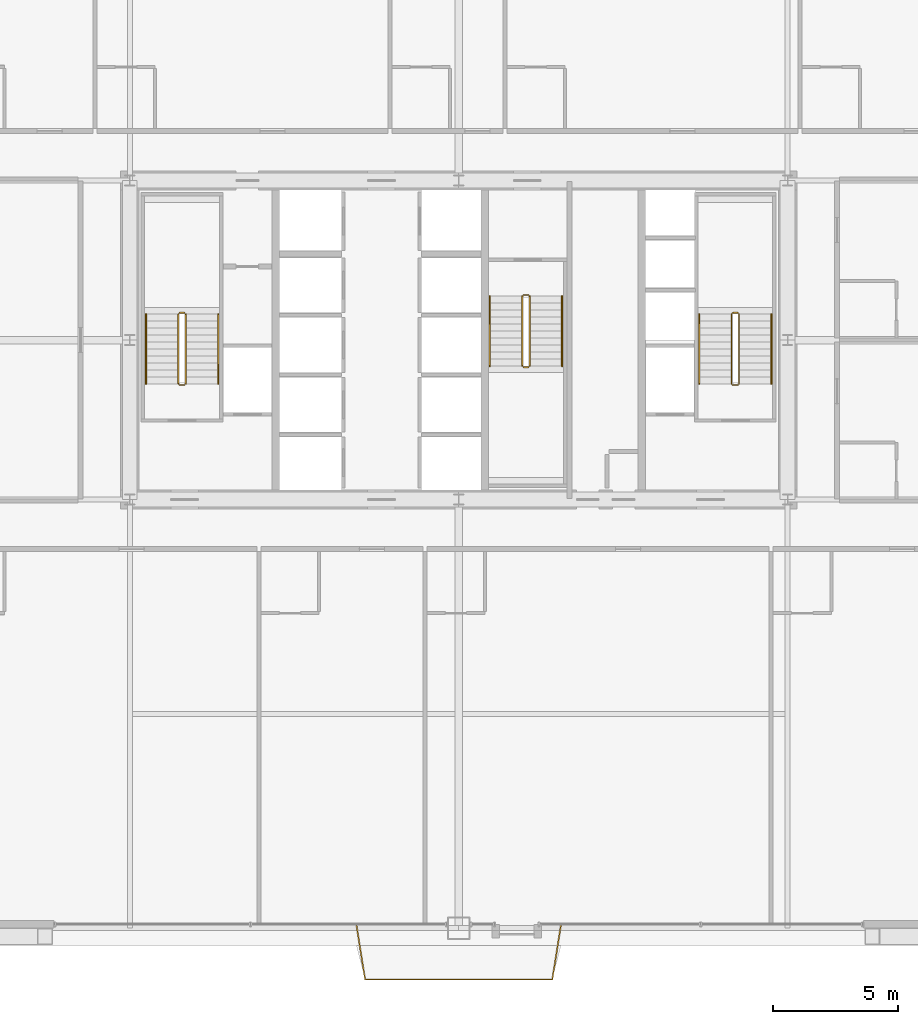
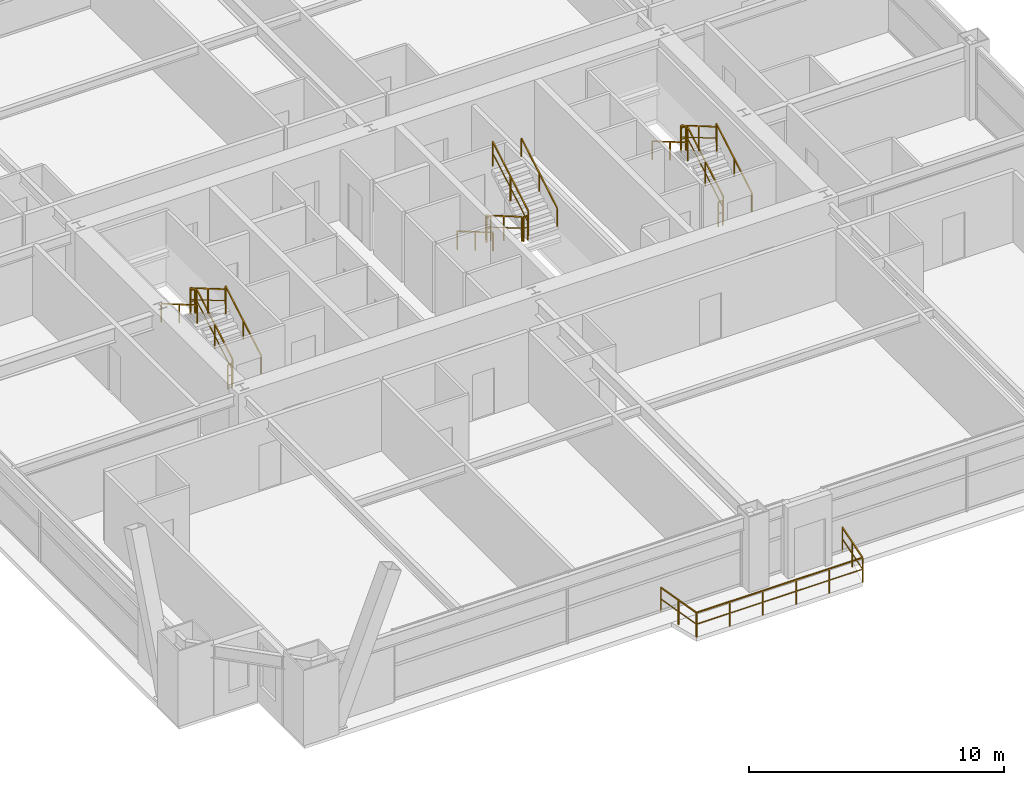
# One storey, part 41 of 41: 19 railings.
"""IFC4 building model written with IfcOpenShell, lengths in metres."""

from ifc_helpers import new_model, si_unit, direction, frame, origin, origin_2d, place, context, subcontext, project, spatial, rectangle, extrude, source, transform, mapped, material, layer, layer_set, type_object, element, save


model = new_model("IFC4")

# Units and contexts
model_context = context("Model", 3, precision=1e-05, world=origin(), true_north=direction((0.0, 1.0)))
body_context = subcontext(model_context, "Body", "Model", "MODEL_VIEW")
ifc_project = project(units=[si_unit("LENGTHUNIT", "METRE"), si_unit("AREAUNIT", "SQUARE_METRE"), si_unit("VOLUMEUNIT", "CUBIC_METRE"), si_unit("PLANEANGLEUNIT", "RADIAN"), si_unit("MASSUNIT", "GRAM", prefix="KILO"), si_unit("THERMODYNAMICTEMPERATUREUNIT", "KELVIN"), si_unit("POWERUNIT", "WATT")], contexts=[model_context])

# Site, building, storey
site_placement = place(None, origin())
site = spatial("IfcSite", under=ifc_project, at=site_placement, CompositionType="ELEMENT")
building_placement = place(site_placement, origin())
building = spatial("IfcBuilding", under=site, at=building_placement, Name="Yuzanri Waterfront Tower", CompositionType="ELEMENT")
storey_placement = place(building_placement, frame((0.0, 0.0, 122.60009765625)))
storey = spatial("IfcBuildingStorey", under=building, at=storey_placement, Name="L32", CompositionType="ELEMENT", Elevation=122.60009765625)

# Railings
ifc_material_1 = material(Name="Anodized Architectural Bronze", Category="metal")
ifc_layer_1 = layer(ifc_material_1, 0.080078125)
ifc_layer_set_1 = layer_set([ifc_layer_1], Name="Anodized Architectural Bronze")
railing_type_1 = type_object("IfcRailingType", Name="Laminated Glass and Bronze Balcony Guardrail 1200", PredefinedType="BALUSTRADE", material=ifc_layer_set_1)
shared_shape_1 = source(origin(), body_context, "Body", "SweptSolid", [
    extrude(rectangle(XDim=0.050048828125, YDim=0.050048828125, at=origin_2d()), frame((0.0, 0.0, 1.1748046875), z_axis=(0.15649530957, -0.987678701847, 0.0), x_axis=(0.987678701847, 0.15649530957, 0.0)), (0.0, 0.0, 1.0), 2.235595703125),
    extrude(rectangle(XDim=0.035888671875, YDim=0.030029296875, at=origin_2d()), frame((0.0, 0.0, 0.6240234375), z_axis=(0.15649530957, -0.987678701847, 0.0), x_axis=(0.987678701847, 0.15649530957, 0.0)), (0.0, 0.0, 1.0), 2.235595703125),
    extrude(rectangle(XDim=0.050048828125, YDim=0.050048828125, at=origin_2d()), frame((0.349853515625, -2.2080078125, 1.1748046875), z_axis=(1.0, 0.0, 0.0), x_axis=(0.0, 1.0, 0.0)), (0.0, 0.0, 1.0), 7.51513671875),
    extrude(rectangle(XDim=0.035888671875, YDim=0.030029296875, at=origin_2d()), frame((0.349853515625, -2.2080078125, 0.6240234375), z_axis=(1.0, 0.0, 0.0), x_axis=(0.0, 1.0, 0.0)), (0.0, 0.0, 1.0), 7.51513671875),
    extrude(rectangle(XDim=0.050048828125, YDim=0.050048828125, at=origin_2d()), frame((7.864990234375, -2.2080078125, 1.1748046875), z_axis=(0.15649530957, 0.987678701847, 0.0), x_axis=(-0.987678701847, 0.15649530957, 0.0)), (0.0, 0.0, 1.0), 2.235595703125),
    extrude(rectangle(XDim=0.035888671875, YDim=0.030029296875, at=origin_2d()), frame((7.864990234375, -2.2080078125, 0.6240234375), z_axis=(0.15649530957, 0.987678701847, 0.0), x_axis=(-0.987678701847, 0.15649530957, 0.0)), (0.0, 0.0, 1.0), 2.235595703125),
    extrude(rectangle(XDim=0.0458984375, YDim=0.0458984375, at=origin_2d()), origin(), (0.0, 0.0, 1.0), 1.14990234375),
    extrude(rectangle(XDim=0.0458984375, YDim=0.0458984375, at=origin_2d()), frame((0.1748046875, -1.10400390625, 0.0)), (0.0, 0.0, 1.0), 1.14990234375),
    extrude(rectangle(XDim=0.0458984375, YDim=0.0458984375, at=origin_2d()), frame((0.349853515625, -2.2080078125, 0.0)), (0.0, 0.0, 1.0), 1.14990234375),
    extrude(rectangle(XDim=0.0458984375, YDim=0.0458984375, at=origin_2d()), frame((1.852783203125, -2.2080078125, 0.0)), (0.0, 0.0, 1.0), 1.14990234375),
    extrude(rectangle(XDim=0.0458984375, YDim=0.0458984375, at=origin_2d()), frame((3.35595703125, -2.2080078125, 0.0)), (0.0, 0.0, 1.0), 1.14990234375),
    extrude(rectangle(XDim=0.0458984375, YDim=0.0458984375, at=origin_2d()), frame((4.85888671875, -2.2080078125, 0.0)), (0.0, 0.0, 1.0), 1.14990234375),
    extrude(rectangle(XDim=0.0458984375, YDim=0.0458984375, at=origin_2d()), frame((6.362060546875, -2.2080078125, 0.0)), (0.0, 0.0, 1.0), 1.14990234375),
    extrude(rectangle(XDim=0.0458984375, YDim=0.0458984375, at=origin_2d()), frame((7.864990234375, -2.2080078125, 0.0)), (0.0, 0.0, 1.0), 1.14990234375),
    extrude(rectangle(XDim=0.0458984375, YDim=0.0458984375, at=origin_2d()), frame((8.0400390625, -1.10400390625, 0.0)), (0.0, 0.0, 1.0), 1.14990234375),
    extrude(rectangle(XDim=0.0458984375, YDim=0.0458984375, at=origin_2d()), frame((8.21484375, 0.0, 0.0)), (0.0, 0.0, 1.0), 1.14990234375),
])
railing_placement = place(storey_placement, frame((32.892578125, 2.35009765625, 0.0)))
element("IfcRailing", 1, at=railing_placement, inside=storey, type_object=railing_type_1, Name="L32 S Engawa Terrace Guardrail", PredefinedType="BALUSTRADE", context=body_context, shape_type="MappedRepresentation", body=[
    mapped(shared_shape_1, transform((0.0, 0.0, 0.0), scale=1.0)),
])
ifc_material_2 = material(Name="Painted Galvanized Fire Steel", Category="steel")
ifc_layer_2 = layer(ifc_material_2, 0.06005859375)
ifc_layer_set_2 = layer_set([ifc_layer_2], Name="Painted Galvanized Fire Steel")
railing_type_2 = type_object("IfcRailingType", Name="Painted Steel Stairwell Guardrail 1120", PredefinedType="GUARDRAIL", material=ifc_layer_set_2)
shared_shape_2 = source(origin(), body_context, "Body", "SweptSolid", [
    extrude(rectangle(XDim=0.050048828125, YDim=0.050048828125, at=origin_2d()), frame((0.0, 0.0, 1.1748046875), z_axis=(-1.0, 0.0, 0.0), x_axis=(0.0, -1.0, 0.0)), (0.0, 0.0, 1.0), 0.199951171875),
    extrude(rectangle(XDim=0.035888671875, YDim=0.030029296875, at=origin_2d()), frame((0.0, 0.0, 0.6240234375), z_axis=(-1.0, 0.0, 0.0), x_axis=(0.0, -1.0, 0.0)), (0.0, 0.0, 1.0), 0.199951171875),
    extrude(rectangle(XDim=0.0458984375, YDim=0.0458984375, at=origin_2d()), origin(), (0.0, 0.0, 1.0), 1.14990234375),
    extrude(rectangle(XDim=0.0458984375, YDim=0.0458984375, at=origin_2d()), frame((-0.199951171875, 0.0, 0.0)), (0.0, 0.0, 1.0), 1.14990234375),
])
for number, where, name in (
    (2, (26.0, 26.889892578125, 1.7998046875), "L32 ST-01 stair guard 2"),
    (3, (26.0, 23.989990234375, 0.0), "L32 ST-01 stair guard 4"),
    (4, (48.199951171875, 26.889892578125, 1.7998046875), "L32 ST-02 stair guard 2"),
    (5, (48.199951171875, 23.989990234375, 0.0), "L32 ST-02 stair guard 4"),
):
    element("IfcRailing", number, at=place(storey_placement, frame(where)), inside=storey, type_object=railing_type_2, Name=name, PredefinedType="GUARDRAIL", context=body_context, shape_type="MappedRepresentation", body=[
        mapped(shared_shape_2, transform((0.0, 0.0, 0.0), scale=1.0)),
    ])
shared_shape_3 = source(origin(), body_context, "Body", "SweptSolid", [
    extrude(rectangle(XDim=0.050048828125, YDim=0.050048828125, at=origin_2d()), frame((0.0, 0.0, 1.1748046875), z_axis=(0.0, 0.863393664356, 0.504530851732), x_axis=(-1.0, 0.0, 0.0)), (0.0, 0.0, 1.0), 3.2431640625),
    extrude(rectangle(XDim=0.035888671875, YDim=0.030029296875, at=origin_2d()), frame((0.0, 0.0, 0.6240234375), z_axis=(0.0, 0.863393664356, 0.504530851732), x_axis=(-1.0, 0.0, 0.0)), (0.0, 0.0, 1.0), 3.2431640625),
    extrude(rectangle(XDim=0.0458984375, YDim=0.0458984375, at=origin_2d()), origin(), (0.0, 0.0, 1.0), 1.14990234375),
    extrude(rectangle(XDim=0.0458984375, YDim=0.0458984375, at=origin_2d()), frame((0.0, 1.39990234375, 0.818115234375)), (0.0, 0.0, 1.0), 1.14990234375),
    extrude(rectangle(XDim=0.0458984375, YDim=0.0458984375, at=origin_2d()), frame((0.0, 2.800048828125, 1.63623046875)), (0.0, 0.0, 1.0), 1.14990234375),
])
for number, where, name in (
    (6, (26.050048828125, 24.0400390625, 0.16357421875), "L32 ST-01 stair guard 1"),
    (7, (48.25, 24.0400390625, 0.16357421875), "L32 ST-02 stair guard 1"),
    (8, (39.85009765625, 24.760009765625, 1.963623046875), "L32 ST-03 stair guard 3"),
):
    element("IfcRailing", number, at=place(storey_placement, frame(where)), inside=storey, type_object=railing_type_2, Name=name, PredefinedType="GUARDRAIL", context=body_context, shape_type="MappedRepresentation", body=[
        mapped(shared_shape_3, transform((0.0, 0.0, 0.0), scale=1.0)),
    ])
shared_shape_4 = source(origin(), body_context, "Body", "SweptSolid", [
    extrude(rectangle(XDim=0.050048828125, YDim=0.050048828125, at=origin_2d()), frame((0.0, 0.0, 1.1748046875), z_axis=(0.0, -0.863393664356, 0.504530851732), x_axis=(1.0, 0.0, 0.0)), (0.0, 0.0, 1.0), 3.2431640625),
    extrude(rectangle(XDim=0.035888671875, YDim=0.030029296875, at=origin_2d()), frame((0.0, 0.0, 0.6240234375), z_axis=(0.0, -0.863393664356, 0.504530851732), x_axis=(1.0, 0.0, 0.0)), (0.0, 0.0, 1.0), 3.2431640625),
    extrude(rectangle(XDim=0.0458984375, YDim=0.0458984375, at=origin_2d()), origin(), (0.0, 0.0, 1.0), 1.14990234375),
    extrude(rectangle(XDim=0.0458984375, YDim=0.0458984375, at=origin_2d()), frame((0.0, -1.39990234375, 0.818115234375)), (0.0, 0.0, 1.0), 1.14990234375),
    extrude(rectangle(XDim=0.0458984375, YDim=0.0458984375, at=origin_2d()), frame((0.0, -2.800048828125, 1.63623046875)), (0.0, 0.0, 1.0), 1.14990234375),
])
for number, where, name in (
    (9, (25.75, 26.840087890625, 1.963623046875), "L32 ST-01 stair guard 3"),
    (10, (47.949951171875, 26.840087890625, 1.963623046875), "L32 ST-02 stair guard 3"),
    (11, (39.550048828125, 27.56005859375, 0.16357421875), "L32 ST-03 stair guard 1"),
):
    element("IfcRailing", number, at=place(storey_placement, frame(where)), inside=storey, type_object=railing_type_2, Name=name, PredefinedType="GUARDRAIL", context=body_context, shape_type="MappedRepresentation", body=[
        mapped(shared_shape_4, transform((0.0, 0.0, 0.0), scale=1.0)),
    ])
ifc_material_3 = material(Name="Anodized Architectural Bronze", Category="metal")
ifc_layer_3 = layer(ifc_material_3, 0.050048828125)
ifc_layer_set_3 = layer_set([ifc_layer_3], Name="Anodized Architectural Bronze")
railing_type_3 = type_object("IfcRailingType", Name="Brushed Bronze Stair Pitch Handrail 920", PredefinedType="HANDRAIL", material=ifc_layer_set_3)
shared_shape_5 = source(origin(), body_context, "Body", "SweptSolid", [
    extrude(rectangle(XDim=0.050048828125, YDim=0.050048828125, at=origin_2d()), frame((0.0, 0.0, 0.875), z_axis=(0.0, 0.863393664356, 0.504530851732), x_axis=(-1.0, 0.0, 0.0)), (0.0, 0.0, 1.0), 3.2431640625),
    extrude(rectangle(XDim=0.0458984375, YDim=0.0458984375, at=origin_2d()), origin(), (0.0, 0.0, 1.0), 0.849853515625),
    extrude(rectangle(XDim=0.0458984375, YDim=0.0458984375, at=origin_2d()), frame((0.0, 1.39990234375, 0.818115234375)), (0.0, 0.0, 1.0), 0.849853515625),
    extrude(rectangle(XDim=0.0458984375, YDim=0.0458984375, at=origin_2d()), frame((0.0, 2.800048828125, 1.63623046875)), (0.0, 0.0, 1.0), 0.849853515625),
])
for number, where, name in (
    (12, (27.35009765625, 24.0400390625, 0.16357421875), "L32 ST-01 stair handrail 1"),
    (13, (49.550048828125, 24.0400390625, 0.16357421875), "L32 ST-02 stair handrail 1"),
    (14, (41.14990234375, 24.760009765625, 1.963623046875), "L32 ST-03 stair handrail 2"),
):
    element("IfcRailing", number, at=place(storey_placement, frame(where)), inside=storey, type_object=railing_type_3, Name=name, PredefinedType="HANDRAIL", context=body_context, shape_type="MappedRepresentation", body=[
        mapped(shared_shape_5, transform((0.0, 0.0, 0.0), scale=1.0)),
    ])
shared_shape_6 = source(origin(), body_context, "Body", "SweptSolid", [
    extrude(rectangle(XDim=0.050048828125, YDim=0.050048828125, at=origin_2d()), frame((0.0, 0.0, 0.875), z_axis=(0.0, -0.863393664356, 0.504530851732), x_axis=(1.0, 0.0, 0.0)), (0.0, 0.0, 1.0), 3.2431640625),
    extrude(rectangle(XDim=0.0458984375, YDim=0.0458984375, at=origin_2d()), origin(), (0.0, 0.0, 1.0), 0.849853515625),
    extrude(rectangle(XDim=0.0458984375, YDim=0.0458984375, at=origin_2d()), frame((0.0, -1.39990234375, 0.818115234375)), (0.0, 0.0, 1.0), 0.849853515625),
    extrude(rectangle(XDim=0.0458984375, YDim=0.0458984375, at=origin_2d()), frame((0.0, -2.800048828125, 1.63623046875)), (0.0, 0.0, 1.0), 0.849853515625),
])
for number, where, name in (
    (15, (24.449951171875, 26.840087890625, 1.963623046875), "L32 ST-01 stair handrail 2"),
    (16, (46.64990234375, 26.840087890625, 1.963623046875), "L32 ST-02 stair handrail 2"),
    (17, (38.25, 27.56005859375, 0.16357421875), "L32 ST-03 stair handrail 1"),
):
    element("IfcRailing", number, at=place(storey_placement, frame(where)), inside=storey, type_object=railing_type_3, Name=name, PredefinedType="HANDRAIL", context=body_context, shape_type="MappedRepresentation", body=[
        mapped(shared_shape_6, transform((0.0, 0.0, 0.0), scale=1.0)),
    ])
shared_shape_7 = source(origin(), body_context, "Body", "SweptSolid", [
    extrude(rectangle(XDim=0.050048828125, YDim=0.050048828125, at=origin_2d()), frame((0.0, 0.0, 1.1748046875), z_axis=(1.0, 0.0, 0.0), x_axis=(0.0, 1.0, 0.0)), (0.0, 0.0, 1.0), 0.199951171875),
    extrude(rectangle(XDim=0.035888671875, YDim=0.030029296875, at=origin_2d()), frame((0.0, 0.0, 0.6240234375), z_axis=(1.0, 0.0, 0.0), x_axis=(0.0, 1.0, 0.0)), (0.0, 0.0, 1.0), 0.199951171875),
    extrude(rectangle(XDim=0.0458984375, YDim=0.0458984375, at=origin_2d()), origin(), (0.0, 0.0, 1.0), 1.14990234375),
    extrude(rectangle(XDim=0.0458984375, YDim=0.0458984375, at=origin_2d()), frame((0.199951171875, 0.0, 0.0)), (0.0, 0.0, 1.0), 1.14990234375),
])
for number, where, name in (
    (18, (39.60009765625, 24.7099609375, 1.7998046875), "L32 ST-03 stair guard 2"),
    (19, (39.60009765625, 27.610107421875, 0.0), "L32 ST-03 stair guard 4"),
):
    element("IfcRailing", number, at=place(storey_placement, frame(where)), inside=storey, type_object=railing_type_2, Name=name, PredefinedType="GUARDRAIL", context=body_context, shape_type="MappedRepresentation", body=[
        mapped(shared_shape_7, transform((0.0, 0.0, 0.0), scale=1.0)),
    ])

save(model, "model.ifc")
